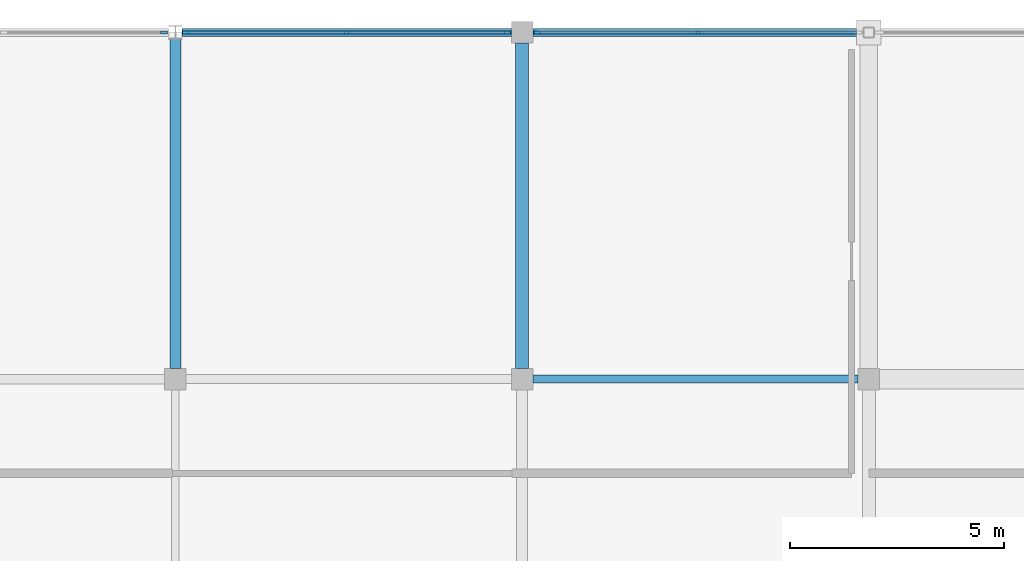
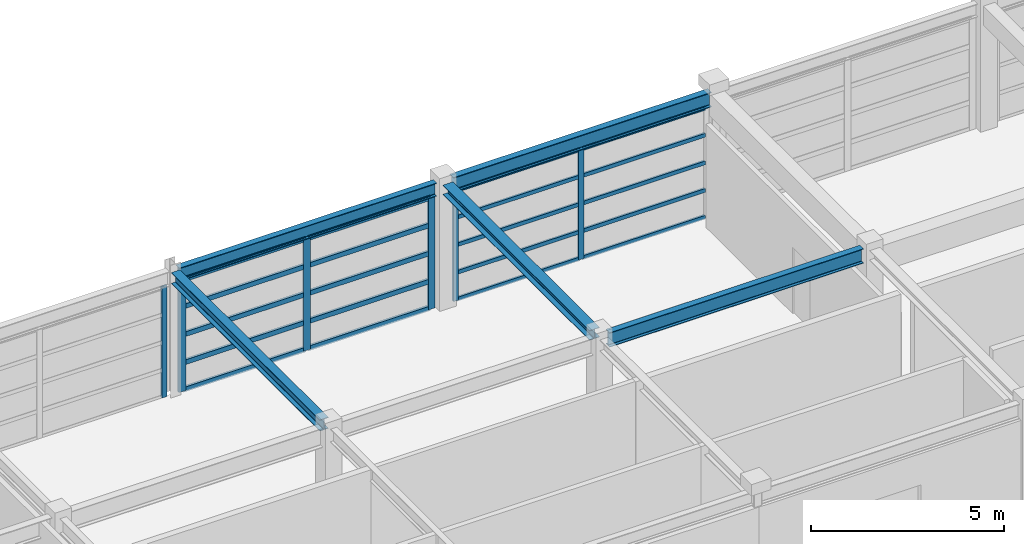
# One storey, part 10 of 19: 26 members, 5 beams, 3 elements without a shape of their own.
"""IFC4 building model written with IfcOpenShell, lengths in metres."""

from ifc_helpers import new_model, si_unit, direction, frame, origin, origin_2d, place, context, subcontext, project, spatial, rectangle, i_section, extrude, material, material_profile, profile_set, type_object, element, aggregate, save


model = new_model("IFC4")

# Units and contexts
model_context = context("Model", 3, precision=1e-05, world=origin(), true_north=direction((0.0, 1.0)))
body_context = subcontext(model_context, "Body", "Model", "MODEL_VIEW")
ifc_project = project(units=[si_unit("LENGTHUNIT", "METRE"), si_unit("AREAUNIT", "SQUARE_METRE"), si_unit("VOLUMEUNIT", "CUBIC_METRE"), si_unit("PLANEANGLEUNIT", "RADIAN"), si_unit("MASSUNIT", "GRAM", prefix="KILO")], contexts=[model_context])

# Site, building, storey
site_placement = place(None, origin())
site = spatial("IfcSite", under=ifc_project, at=site_placement, CompositionType="ELEMENT")
building_placement = place(site_placement, origin())
building = spatial("IfcBuilding", under=site, at=building_placement, Name="Parian Resonance Hall", CompositionType="ELEMENT")
storey_placement = place(building_placement, frame((0.0, 0.0, 23.39990234375)))
storey = spatial("IfcBuildingStorey", under=building, at=storey_placement, Name="L05", CompositionType="ELEMENT", Elevation=23.39990234375)

# Beams
ifc_material_1 = material(Name="Steel S355", Category="steel")
ifc_material_profile_1 = material_profile(ifc_material_1, i_section(OverallWidth=0.304931640625, OverallDepth=0.30810546875, WebThickness=0.010009765625, FlangeThickness=0.015380859375, FilletRadius=0.01513671875, at=origin_2d()), Name="W310x97")
ifc_profile_set_1 = profile_set([ifc_material_profile_1], Name="Steel S355")
beam_type_1 = type_object("IfcBeamType", Name="BM-W310x97", PredefinedType="BEAM", material=ifc_profile_set_1)
beam_1_placement = place(storey_placement, frame((105.300048828125, 81.25, 3.816162109375), z_axis=(0.0, 1.0, 0.0), x_axis=(-1.0, 0.0, 0.0)))
element("IfcBeam", 1, at=beam_1_placement, inside=storey, type_object=beam_type_1, Name="GY-L05-1077", PredefinedType="BEAM", context=body_context, shape_type="SweptSolid", body=[
    extrude(i_section(OverallWidth=0.304931640625, OverallDepth=0.30810546875, WebThickness=0.010009765625, FlangeThickness=0.015380859375, FilletRadius=0.01513671875, at=origin_2d()), origin(), (0.0, 0.0, 1.0), 7.60009765625),
])
ifc_material_2 = material(Name="Steel S355", Category="steel")
ifc_material_profile_2 = material_profile(ifc_material_2, i_section(OverallWidth=0.2548828125, OverallDepth=0.35693359375, WebThickness=0.010498046875, FlangeThickness=0.018310546875, FilletRadius=0.01513671875, at=origin_2d()), Name="W360x101")
ifc_profile_set_2 = profile_set([ifc_material_profile_2], Name="Steel S355")
beam_type_2 = type_object("IfcBeamType", Name="BM-W360x101", PredefinedType="SPANDREL", material=ifc_profile_set_2)
beam_2_placement = place(storey_placement, frame((97.199951171875, 81.25, 3.79150390625), z_axis=(0.0, 1.0, 0.0), x_axis=(-1.0, 0.0, 0.0)))
element("IfcBeam", 2, at=beam_2_placement, inside=storey, type_object=beam_type_2, Name="GY-L05-1075", PredefinedType="SPANDREL", context=body_context, shape_type="SweptSolid", body=[
    extrude(i_section(OverallWidth=0.2548828125, OverallDepth=0.35693359375, WebThickness=0.010498046875, FlangeThickness=0.018310546875, FilletRadius=0.01513671875, at=origin_2d()), origin(), (0.0, 0.0, 1.0), 7.696044921875),
])
ifc_material_3 = material(Name="Steel S355", Category="steel")
ifc_material_profile_3 = material_profile(ifc_material_3, i_section(OverallWidth=0.180908203125, OverallDepth=0.4169921875, WebThickness=0.010986328125, FlangeThickness=0.018310546875, FilletRadius=0.01513671875, at=origin_2d()), Name="W410x85")
ifc_profile_set_3 = profile_set([ifc_material_profile_3], Name="Steel S355")
beam_type_3 = type_object("IfcBeamType", Name="BM-W410x85", PredefinedType="SPANDREL", material=ifc_profile_set_3)
beam_3_placement = place(storey_placement, frame((97.3525390625, 89.10009765625, 3.76171875), z_axis=(1.0, 0.0, 0.0), x_axis=(0.0, 1.0, 0.0)))
element("IfcBeam", 3, at=beam_3_placement, inside=storey, type_object=beam_type_3, Name="GX-L05-1034", PredefinedType="SPANDREL", context=body_context, shape_type="SweptSolid", body=[
    extrude(i_section(OverallWidth=0.180908203125, OverallDepth=0.4169921875, WebThickness=0.010986328125, FlangeThickness=0.018310546875, FilletRadius=0.01513671875, at=origin_2d()), origin(), (0.0, 0.0, 1.0), 7.697509765625),
])
ifc_material_4 = material(Name="Steel S355", Category="steel")
ifc_material_profile_4 = material_profile(ifc_material_4, i_section(OverallWidth=0.194091796875, OverallDepth=0.468994140625, WebThickness=0.0126953125, FlangeThickness=0.0205078125, FilletRadius=0.01513671875, at=origin_2d()), Name="W460x106")
ifc_profile_set_4 = profile_set([ifc_material_profile_4], Name="Steel S355")
beam_type_4 = type_object("IfcBeamType", Name="BM-W460x106", PredefinedType="SPANDREL", material=ifc_profile_set_4)
beam_4_placement = place(storey_placement, frame((105.550048828125, 89.10009765625, 3.735595703125), z_axis=(1.0, 0.0, 0.0), x_axis=(0.0, 1.0, 0.0)))
element("IfcBeam", 4, at=beam_4_placement, inside=storey, type_object=beam_type_4, Name="GX-L05-1037", PredefinedType="SPANDREL", context=body_context, shape_type="SweptSolid", body=[
    extrude(i_section(OverallWidth=0.194091796875, OverallDepth=0.468994140625, WebThickness=0.0126953125, FlangeThickness=0.0205078125, FilletRadius=0.01513671875, at=origin_2d()), origin(), (0.0, 0.0, 1.0), 7.724853515625),
])
ifc_material_5 = material(Name="Steel S355", Category="steel")
ifc_material_profile_5 = material_profile(ifc_material_5, i_section(OverallWidth=0.19091796875, OverallDepth=0.4599609375, WebThickness=0.010009765625, FlangeThickness=0.01611328125, FilletRadius=0.01513671875, at=origin_2d()), Name="W460x82")
ifc_profile_set_5 = profile_set([ifc_material_profile_5], Name="Steel S355")
beam_type_5 = type_object("IfcBeamType", Name="BM-W460x82", PredefinedType="BEAM", material=ifc_profile_set_5)
beam_5_placement = place(storey_placement, frame((105.550048828125, 81.0, 3.739990234375), z_axis=(1.0, 0.0, 0.0), x_axis=(0.0, 1.0, 0.0)))
element("IfcBeam", 5, at=beam_5_placement, inside=storey, type_object=beam_type_5, Name="GX-L05-1036", PredefinedType="BEAM", context=body_context, shape_type="SweptSolid", body=[
    extrude(i_section(OverallWidth=0.19091796875, OverallDepth=0.4599609375, WebThickness=0.010009765625, FlangeThickness=0.01611328125, FilletRadius=0.01513671875, at=origin_2d()), origin(), (0.0, 0.0, 1.0), 7.599853515625),
])

# Curtain wall, member
ifc_material_6 = material(Name="Bronze-anodised aluminium frame", Category="aluminium")
curtain_wall_type_1 = type_object("IfcCurtainWallType", Name="CW-SYS-06", PredefinedType="NOTDEFINED", material=ifc_material_6)
curtain_wall_1_placement = place(storey_placement, origin())
curtain_wall_1 = element("IfcCurtainWall", 6, at=curtain_wall_1_placement, inside=storey, type_object=curtain_wall_type_1, Name="Curtain wall CW-L05-157", PredefinedType="NOTDEFINED")
ifc_material_7 = material(Name="Bronze-anodised aluminium frame", Category="aluminium")
ifc_material_profile_6 = material_profile(ifc_material_7, rectangle(XDim=0.06494140625, YDim=0.159912109375, at=origin_2d()), Name="CWM-65x160")
ifc_profile_set_6 = profile_set([ifc_material_profile_6], Name="Bronze-anodised aluminium frame")
member_type_1 = type_object("IfcMemberType", Name="CWM-65x160", PredefinedType="MULLION", material=ifc_profile_set_6)
member_1_placement = place(storey_placement, frame((96.93505859375, 89.10009765625, -0.0078125), z_axis=(0.0, 0.0, 1.0), x_axis=(0.0, 1.0, 0.0)))
member_1 = element("IfcMember", 7, at=member_1_placement, type_object=member_type_1, Name="CW-06 mullion 3", PredefinedType="MULLION", context=body_context, shape_type="SweptSolid", body=[
    extrude(rectangle(XDim=0.06494140625, YDim=0.159912109375, at=origin_2d()), origin(), (0.0, 0.0, 1.0), 3.512939453125),
])
aggregate(curtain_wall_1, [member_1])

# Curtain wall, members
ifc_material_8 = material(Name="Bronze-anodised aluminium frame", Category="aluminium")
curtain_wall_type_2 = type_object("IfcCurtainWallType", Name="CW-SYS-02", PredefinedType="NOTDEFINED", material=ifc_material_8)
curtain_wall_2_placement = place(storey_placement, origin())
curtain_wall_2 = element("IfcCurtainWall", 8, at=curtain_wall_2_placement, inside=storey, type_object=curtain_wall_type_2, Name="Curtain wall CW-L05-159", PredefinedType="NOTDEFINED")
member_2_placement = place(storey_placement, frame((105.66259765625, 89.10009765625, -0.0078125), z_axis=(0.0, 0.0, 1.0), x_axis=(0.0, 1.0, 0.0)))
member_2 = element("IfcMember", 9, at=member_2_placement, type_object=member_type_1, Name="CW-02 mullion 1", PredefinedType="MULLION", context=body_context, shape_type="SweptSolid", body=[
    extrude(rectangle(XDim=0.06494140625, YDim=0.159912109375, at=origin_2d()), origin(), (0.0, 0.0, 1.0), 3.512939453125),
])
member_3_placement = place(storey_placement, frame((109.41259765625, 89.10009765625, -0.0078125), z_axis=(0.0, 0.0, 1.0), x_axis=(0.0, 1.0, 0.0)))
member_3 = element("IfcMember", 10, at=member_3_placement, type_object=member_type_1, Name="CW-02 mullion 2", PredefinedType="MULLION", context=body_context, shape_type="SweptSolid", body=[
    extrude(rectangle(XDim=0.06494140625, YDim=0.159912109375, at=origin_2d()), origin(), (0.0, 0.0, 1.0), 3.512939453125),
])

ifc_material_9 = material(Name="Bronze-anodised aluminium frame", Category="aluminium")
curtain_wall_type_3 = type_object("IfcCurtainWallType", Name="CW-SYS-01", PredefinedType="NOTDEFINED", material=ifc_material_9)
curtain_wall_3_placement = place(storey_placement, origin())
curtain_wall_3 = element("IfcCurtainWall", 11, at=curtain_wall_3_placement, inside=storey, type_object=curtain_wall_type_3, Name="Curtain wall CW-L05-158", PredefinedType="NOTDEFINED")
ifc_material_10 = material(Name="Bronze-anodised aluminium frame", Category="aluminium")
ifc_material_profile_7 = material_profile(ifc_material_10, rectangle(XDim=0.074951171875, YDim=0.199951171875, at=origin_2d()), Name="CWM-75x200")
ifc_profile_set_7 = profile_set([ifc_material_profile_7], Name="Bronze-anodised aluminium frame")
member_type_2 = type_object("IfcMemberType", Name="CWM-75x200", PredefinedType="MULLION", material=ifc_profile_set_7)
member_4_placement = place(storey_placement, frame((97.469970703125, 89.10009765625, -0.0078125), z_axis=(0.0, 0.0, 1.0), x_axis=(0.0, 1.0, 0.0)))
member_4 = element("IfcMember", 12, at=member_4_placement, type_object=member_type_2, Name="CW-01 mullion 1", PredefinedType="MULLION", context=body_context, shape_type="SweptSolid", body=[
    extrude(rectangle(XDim=0.074951171875, YDim=0.199951171875, at=origin_2d()), origin(), (0.0, 0.0, 1.0), 3.56494140625),
])
member_5_placement = place(storey_placement, frame((101.201171875, 89.10009765625, -0.0078125), z_axis=(0.0, 0.0, 1.0), x_axis=(0.0, 1.0, 0.0)))
member_5 = element("IfcMember", 13, at=member_5_placement, type_object=member_type_2, Name="CW-01 mullion 2", PredefinedType="MULLION", context=body_context, shape_type="SweptSolid", body=[
    extrude(rectangle(XDim=0.074951171875, YDim=0.199951171875, at=origin_2d()), origin(), (0.0, 0.0, 1.0), 3.56494140625),
])
member_6_placement = place(storey_placement, frame((104.9326171875, 89.10009765625, -0.0078125), z_axis=(0.0, 0.0, 1.0), x_axis=(0.0, 1.0, 0.0)))
member_6 = element("IfcMember", 14, at=member_6_placement, type_object=member_type_2, Name="CW-01 mullion 3", PredefinedType="MULLION", context=body_context, shape_type="SweptSolid", body=[
    extrude(rectangle(XDim=0.074951171875, YDim=0.199951171875, at=origin_2d()), origin(), (0.0, 0.0, 1.0), 3.56494140625),
])

# Member
ifc_material_11 = material(Name="Bronze-anodised aluminium frame", Category="aluminium")
ifc_material_profile_8 = material_profile(ifc_material_11, rectangle(XDim=0.06494140625, YDim=0.1201171875, at=origin_2d()), Name="CWT-65x120")
ifc_profile_set_8 = profile_set([ifc_material_profile_8], Name="Bronze-anodised aluminium frame")
member_type_3 = type_object("IfcMemberType", Name="CWT-65x120", PredefinedType="USERDEFINED", material=ifc_profile_set_8)
member_7_placement = place(storey_placement, frame((105.695068359375, 89.10009765625, 0.024658203125), z_axis=(1.0, 0.0, 0.0), x_axis=(0.0, 1.0, 0.0)))
member_7 = element("IfcMember", 15, at=member_7_placement, type_object=member_type_3, Name="CW-02 transom 1.1", ObjectType="TRANSOM", PredefinedType="USERDEFINED", context=body_context, shape_type="SweptSolid", body=[
    extrude(rectangle(XDim=0.06494140625, YDim=0.1201171875, at=origin_2d()), origin(), (0.0, 0.0, 1.0), 3.684814453125),
])

member_8_placement = place(storey_placement, frame((105.695068359375, 89.10009765625, 0.873779296875), z_axis=(1.0, 0.0, 0.0), x_axis=(0.0, 1.0, 0.0)))
member_8 = element("IfcMember", 16, at=member_8_placement, type_object=member_type_3, Name="CW-02 transom 1.2", ObjectType="TRANSOM", PredefinedType="USERDEFINED", context=body_context, shape_type="SweptSolid", body=[
    extrude(rectangle(XDim=0.06494140625, YDim=0.1201171875, at=origin_2d()), origin(), (0.0, 0.0, 1.0), 3.684814453125),
])

member_9_placement = place(storey_placement, frame((105.695068359375, 89.10009765625, 1.74755859375), z_axis=(1.0, 0.0, 0.0), x_axis=(0.0, 1.0, 0.0)))
member_9 = element("IfcMember", 17, at=member_9_placement, type_object=member_type_3, Name="CW-02 transom 1.3", ObjectType="TRANSOM", PredefinedType="USERDEFINED", context=body_context, shape_type="SweptSolid", body=[
    extrude(rectangle(XDim=0.06494140625, YDim=0.1201171875, at=origin_2d()), origin(), (0.0, 0.0, 1.0), 3.684814453125),
])

member_10_placement = place(storey_placement, frame((105.695068359375, 89.10009765625, 2.621337890625), z_axis=(1.0, 0.0, 0.0), x_axis=(0.0, 1.0, 0.0)))
member_10 = element("IfcMember", 18, at=member_10_placement, type_object=member_type_3, Name="CW-02 transom 1.4", ObjectType="TRANSOM", PredefinedType="USERDEFINED", context=body_context, shape_type="SweptSolid", body=[
    extrude(rectangle(XDim=0.06494140625, YDim=0.1201171875, at=origin_2d()), origin(), (0.0, 0.0, 1.0), 3.684814453125),
])

member_11_placement = place(storey_placement, frame((105.695068359375, 89.10009765625, 3.47265625), z_axis=(1.0, 0.0, 0.0), x_axis=(0.0, 1.0, 0.0)))
member_11 = element("IfcMember", 19, at=member_11_placement, type_object=member_type_3, Name="CW-02 transom 1.5", ObjectType="TRANSOM", PredefinedType="USERDEFINED", context=body_context, shape_type="SweptSolid", body=[
    extrude(rectangle(XDim=0.06494140625, YDim=0.1201171875, at=origin_2d()), origin(), (0.0, 0.0, 1.0), 3.684814453125),
])

member_12_placement = place(storey_placement, frame((109.445068359375, 89.10009765625, 0.024658203125), z_axis=(1.0, 0.0, 0.0), x_axis=(0.0, 1.0, 0.0)))
member_12 = element("IfcMember", 20, at=member_12_placement, type_object=member_type_3, Name="CW-02 transom 2.1", ObjectType="TRANSOM", PredefinedType="USERDEFINED", context=body_context, shape_type="SweptSolid", body=[
    extrude(rectangle(XDim=0.06494140625, YDim=0.1201171875, at=origin_2d()), origin(), (0.0, 0.0, 1.0), 3.684814453125),
])

member_13_placement = place(storey_placement, frame((109.445068359375, 89.10009765625, 0.873779296875), z_axis=(1.0, 0.0, 0.0), x_axis=(0.0, 1.0, 0.0)))
member_13 = element("IfcMember", 21, at=member_13_placement, type_object=member_type_3, Name="CW-02 transom 2.2", ObjectType="TRANSOM", PredefinedType="USERDEFINED", context=body_context, shape_type="SweptSolid", body=[
    extrude(rectangle(XDim=0.06494140625, YDim=0.1201171875, at=origin_2d()), origin(), (0.0, 0.0, 1.0), 3.684814453125),
])

member_14_placement = place(storey_placement, frame((109.445068359375, 89.10009765625, 1.74755859375), z_axis=(1.0, 0.0, 0.0), x_axis=(0.0, 1.0, 0.0)))
member_14 = element("IfcMember", 22, at=member_14_placement, type_object=member_type_3, Name="CW-02 transom 2.3", ObjectType="TRANSOM", PredefinedType="USERDEFINED", context=body_context, shape_type="SweptSolid", body=[
    extrude(rectangle(XDim=0.06494140625, YDim=0.1201171875, at=origin_2d()), origin(), (0.0, 0.0, 1.0), 3.684814453125),
])

member_15_placement = place(storey_placement, frame((109.445068359375, 89.10009765625, 2.621337890625), z_axis=(1.0, 0.0, 0.0), x_axis=(0.0, 1.0, 0.0)))
member_15 = element("IfcMember", 23, at=member_15_placement, type_object=member_type_3, Name="CW-02 transom 2.4", ObjectType="TRANSOM", PredefinedType="USERDEFINED", context=body_context, shape_type="SweptSolid", body=[
    extrude(rectangle(XDim=0.06494140625, YDim=0.1201171875, at=origin_2d()), origin(), (0.0, 0.0, 1.0), 3.684814453125),
])

member_16_placement = place(storey_placement, frame((109.445068359375, 89.10009765625, 3.47265625), z_axis=(1.0, 0.0, 0.0), x_axis=(0.0, 1.0, 0.0)))
member_16 = element("IfcMember", 24, at=member_16_placement, type_object=member_type_3, Name="CW-02 transom 2.5", ObjectType="TRANSOM", PredefinedType="USERDEFINED", context=body_context, shape_type="SweptSolid", body=[
    extrude(rectangle(XDim=0.06494140625, YDim=0.1201171875, at=origin_2d()), origin(), (0.0, 0.0, 1.0), 3.684814453125),
])

aggregate(curtain_wall_2, [member_2, member_3, member_7, member_8, member_9, member_10, member_11, member_12, member_13, member_14, member_15, member_16])

ifc_material_12 = material(Name="Bronze-anodised aluminium frame", Category="aluminium")
ifc_material_profile_9 = material_profile(ifc_material_12, rectangle(XDim=0.074951171875, YDim=0.14990234375, at=origin_2d()), Name="CWT-75x150")
ifc_profile_set_9 = profile_set([ifc_material_profile_9], Name="Bronze-anodised aluminium frame")
member_type_4 = type_object("IfcMemberType", Name="CWT-75x150", PredefinedType="USERDEFINED", material=ifc_profile_set_9)
member_17_placement = place(storey_placement, frame((97.507568359375, 89.10009765625, 0.029541015625), z_axis=(1.0, 0.0, 0.0), x_axis=(0.0, 1.0, 0.0)))
member_17 = element("IfcMember", 25, at=member_17_placement, type_object=member_type_4, Name="CW-01 transom 1.1", ObjectType="TRANSOM", PredefinedType="USERDEFINED", context=body_context, shape_type="SweptSolid", body=[
    extrude(rectangle(XDim=0.074951171875, YDim=0.14990234375, at=origin_2d()), origin(), (0.0, 0.0, 1.0), 3.65625),
])

member_18_placement = place(storey_placement, frame((97.507568359375, 89.10009765625, 0.88671875), z_axis=(1.0, 0.0, 0.0), x_axis=(0.0, 1.0, 0.0)))
member_18 = element("IfcMember", 26, at=member_18_placement, type_object=member_type_4, Name="CW-01 transom 1.2", ObjectType="TRANSOM", PredefinedType="USERDEFINED", context=body_context, shape_type="SweptSolid", body=[
    extrude(rectangle(XDim=0.074951171875, YDim=0.14990234375, at=origin_2d()), origin(), (0.0, 0.0, 1.0), 3.65625),
])

member_19_placement = place(storey_placement, frame((97.507568359375, 89.10009765625, 1.773681640625), z_axis=(1.0, 0.0, 0.0), x_axis=(0.0, 1.0, 0.0)))
member_19 = element("IfcMember", 27, at=member_19_placement, type_object=member_type_4, Name="CW-01 transom 1.3", ObjectType="TRANSOM", PredefinedType="USERDEFINED", context=body_context, shape_type="SweptSolid", body=[
    extrude(rectangle(XDim=0.074951171875, YDim=0.14990234375, at=origin_2d()), origin(), (0.0, 0.0, 1.0), 3.65625),
])

member_20_placement = place(storey_placement, frame((97.507568359375, 89.10009765625, 2.660400390625), z_axis=(1.0, 0.0, 0.0), x_axis=(0.0, 1.0, 0.0)))
member_20 = element("IfcMember", 28, at=member_20_placement, type_object=member_type_4, Name="CW-01 transom 1.4", ObjectType="TRANSOM", PredefinedType="USERDEFINED", context=body_context, shape_type="SweptSolid", body=[
    extrude(rectangle(XDim=0.074951171875, YDim=0.14990234375, at=origin_2d()), origin(), (0.0, 0.0, 1.0), 3.65625),
])

member_21_placement = place(storey_placement, frame((97.507568359375, 89.10009765625, 3.51953125), z_axis=(1.0, 0.0, 0.0), x_axis=(0.0, 1.0, 0.0)))
member_21 = element("IfcMember", 29, at=member_21_placement, type_object=member_type_4, Name="CW-01 transom 1.5", ObjectType="TRANSOM", PredefinedType="USERDEFINED", context=body_context, shape_type="SweptSolid", body=[
    extrude(rectangle(XDim=0.074951171875, YDim=0.14990234375, at=origin_2d()), origin(), (0.0, 0.0, 1.0), 3.65625),
])

member_22_placement = place(storey_placement, frame((101.23876953125, 89.10009765625, 0.029541015625), z_axis=(1.0, 0.0, 0.0), x_axis=(0.0, 1.0, 0.0)))
member_22 = element("IfcMember", 30, at=member_22_placement, type_object=member_type_4, Name="CW-01 transom 2.1", ObjectType="TRANSOM", PredefinedType="USERDEFINED", context=body_context, shape_type="SweptSolid", body=[
    extrude(rectangle(XDim=0.074951171875, YDim=0.14990234375, at=origin_2d()), origin(), (0.0, 0.0, 1.0), 3.65625),
])

member_23_placement = place(storey_placement, frame((101.23876953125, 89.10009765625, 0.88671875), z_axis=(1.0, 0.0, 0.0), x_axis=(0.0, 1.0, 0.0)))
member_23 = element("IfcMember", 31, at=member_23_placement, type_object=member_type_4, Name="CW-01 transom 2.2", ObjectType="TRANSOM", PredefinedType="USERDEFINED", context=body_context, shape_type="SweptSolid", body=[
    extrude(rectangle(XDim=0.074951171875, YDim=0.14990234375, at=origin_2d()), origin(), (0.0, 0.0, 1.0), 3.65625),
])

member_24_placement = place(storey_placement, frame((101.23876953125, 89.10009765625, 1.773681640625), z_axis=(1.0, 0.0, 0.0), x_axis=(0.0, 1.0, 0.0)))
member_24 = element("IfcMember", 32, at=member_24_placement, type_object=member_type_4, Name="CW-01 transom 2.3", ObjectType="TRANSOM", PredefinedType="USERDEFINED", context=body_context, shape_type="SweptSolid", body=[
    extrude(rectangle(XDim=0.074951171875, YDim=0.14990234375, at=origin_2d()), origin(), (0.0, 0.0, 1.0), 3.65625),
])

member_25_placement = place(storey_placement, frame((101.23876953125, 89.10009765625, 2.660400390625), z_axis=(1.0, 0.0, 0.0), x_axis=(0.0, 1.0, 0.0)))
member_25 = element("IfcMember", 33, at=member_25_placement, type_object=member_type_4, Name="CW-01 transom 2.4", ObjectType="TRANSOM", PredefinedType="USERDEFINED", context=body_context, shape_type="SweptSolid", body=[
    extrude(rectangle(XDim=0.074951171875, YDim=0.14990234375, at=origin_2d()), origin(), (0.0, 0.0, 1.0), 3.65625),
])

member_26_placement = place(storey_placement, frame((101.23876953125, 89.10009765625, 3.51953125), z_axis=(1.0, 0.0, 0.0), x_axis=(0.0, 1.0, 0.0)))
member_26 = element("IfcMember", 34, at=member_26_placement, type_object=member_type_4, Name="CW-01 transom 2.5", ObjectType="TRANSOM", PredefinedType="USERDEFINED", context=body_context, shape_type="SweptSolid", body=[
    extrude(rectangle(XDim=0.074951171875, YDim=0.14990234375, at=origin_2d()), origin(), (0.0, 0.0, 1.0), 3.65625),
])

aggregate(curtain_wall_3, [member_4, member_5, member_6, member_17, member_18, member_19, member_20, member_21, member_22, member_23, member_24, member_25, member_26])

save(model, "model.ifc")
